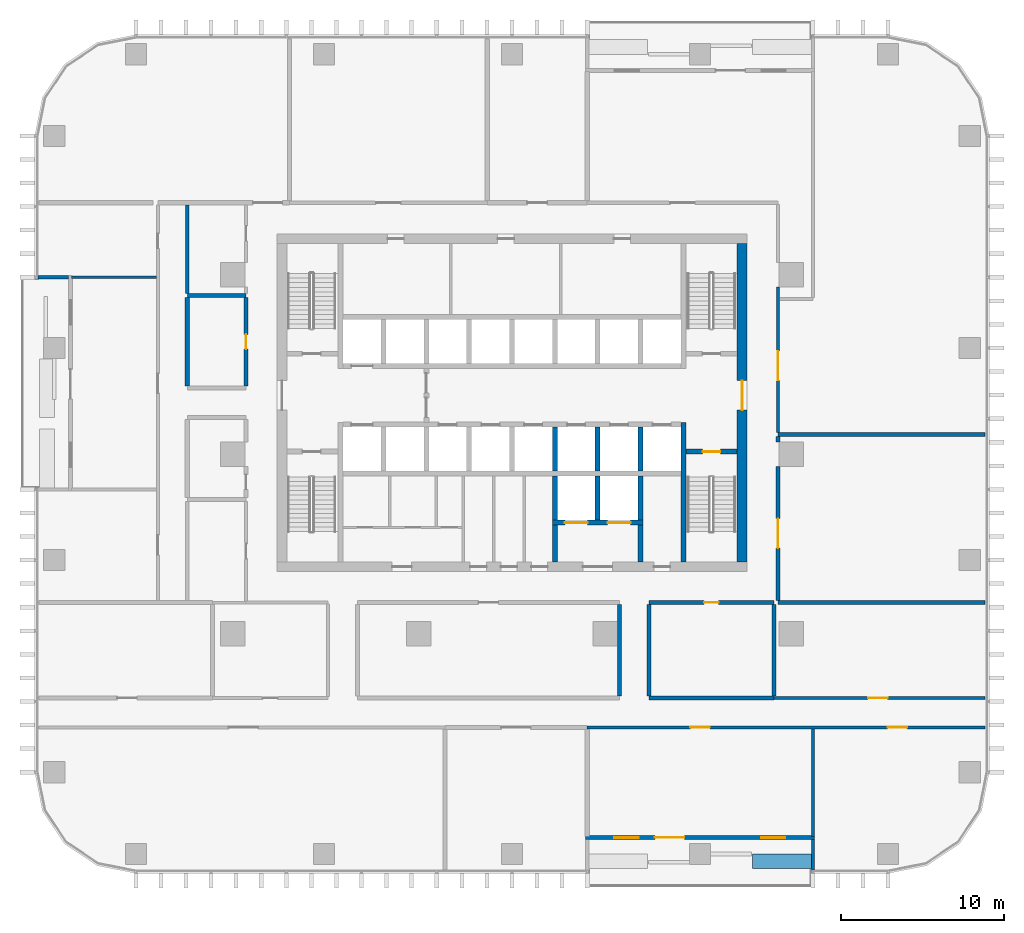
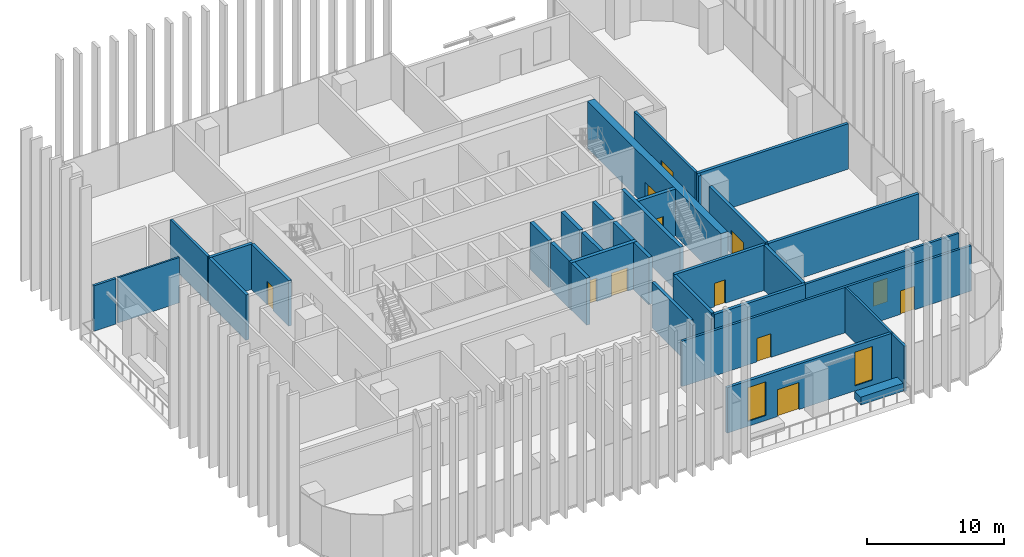
# One storey, part 9 of 17: 34 walls, 12 doors, 2 windows, 14 openings.
"""IFC4 building model written with IfcOpenShell, lengths in metres."""

from ifc_helpers import new_model, si_unit, direction, frame, frame_2d, origin, place, context, subcontext, project, spatial, rectangle, extrude, material, layer, layer_set, type_object, element, fill, save


model = new_model("IFC4")

# Units and contexts
model_context = context("Model", 3, precision=1e-05, world=origin(), true_north=direction((0.0, 1.0)))
body_context = subcontext(model_context, "Body", "Model", "MODEL_VIEW")
ifc_project = project(units=[si_unit("LENGTHUNIT", "METRE"), si_unit("AREAUNIT", "SQUARE_METRE"), si_unit("VOLUMEUNIT", "CUBIC_METRE"), si_unit("PLANEANGLEUNIT", "RADIAN"), si_unit("MASSUNIT", "GRAM", prefix="KILO")], contexts=[model_context])

# Site, building, storey
site_placement = place(None, origin())
site = spatial("IfcSite", under=ifc_project, at=site_placement, CompositionType="ELEMENT")
building_placement = place(site_placement, origin())
building = spatial("IfcBuilding", under=site, at=building_placement, Name="Mopane Tessera Tower", CompositionType="ELEMENT")
storey_placement = place(building_placement, frame((0.0, 0.0, 108.10009765625)))
storey = spatial("IfcBuildingStorey", under=building, at=storey_placement, Name="L21", CompositionType="ELEMENT", Elevation=108.10009765625)

# Wall, opening, door
ifc_material_1 = material(Name="Concrete C70/85", Category="concrete")
ifc_layer_1 = layer(ifc_material_1, 0.60009765625)
ifc_layer_set_1 = layer_set([ifc_layer_1], Name="Concrete C70/85")
wall_type_1 = type_object("IfcWallType", Name="Core shear wall 600 mm", PredefinedType="SHEAR", material=ifc_layer_set_1)
wall_1_placement = place(storey_placement, frame((14.10009765625, -6.60009765625, 0.0), z_axis=(0.0, 0.0, 1.0), x_axis=(0.0, 1.0, 0.0)))
wall_1 = element("IfcWall", 1, at=wall_1_placement, inside=storey, type_object=wall_type_1, Name="L21 Core wall east", PredefinedType="SHEAR", context=body_context, shape_type="SweptSolid", body=[
    extrude(rectangle(XDim=19.5, YDim=0.60009765625, at=frame_2d((9.75, 0.0))), origin(), (0.0, 0.0, 1.0), 4.199951171875),
])
opening_1_placement = place(wall_1_placement, frame((9.300048828125, 0.0, 0.0)))
opening_1 = element("IfcOpeningElement", 2, at=opening_1_placement, cuts=wall_1, Name="Opening SD2", PredefinedType="OPENING", context=body_context, shape_type="SweptSolid", body=[
    extrude(rectangle(XDim=1.800048828125, YDim=2.10009765625, at=frame_2d((0.89990234375, 1.050048828125))), frame((0.0, 0.31201171875, 0.0), z_axis=(0.0, -1.0, 0.0), x_axis=(1.0, 0.0, 0.0)), (0.0, 0.0, 1.0), 0.6240234375),
])
ifc_material_2 = material(Name="Steel fire door", Category="steel")
door_type_1 = type_object("IfcDoorType", Name="Core entrance double door 1800 x 2100", OperationType="DOUBLE_DOOR_SINGLE_SWING", PredefinedType="DOOR", material=ifc_material_2)
door_1_placement = place(opening_1_placement, origin())
door_1 = element("IfcDoor", 3, at=door_1_placement, inside=storey, type_object=door_type_1, Name="L21 Core entrance door east", OperationType="DOUBLE_DOOR_SINGLE_SWING", OverallHeight=2.10009765625, OverallWidth=1.800048828125, PredefinedType="DOOR", context=body_context, shape_type="SweptSolid", body=[
    extrude(rectangle(XDim=1.800048828125, YDim=2.10009765625, at=frame_2d((0.89990234375, 1.050048828125))), frame((0.0, 0.02490234375, 0.0), z_axis=(0.0, -1.0, 0.0), x_axis=(1.0, 0.0, 0.0)), (0.0, 0.0, 1.0), 0.050048828125),
])
fill(opening_1, door_1)

# Walls
ifc_material_3 = material(Name="Concrete C60/75", Category="concrete")
ifc_layer_2 = layer(ifc_material_3, 0.300048828125)
ifc_layer_set_2 = layer_set([ifc_layer_2], Name="Concrete C60/75")
wall_type_2 = type_object("IfcWallType", Name="Core spine wall 300 mm", PredefinedType="SHEAR", material=ifc_layer_set_2)
wall_2_placement = place(storey_placement, frame((10.5, -6.60009765625, 0.0), z_axis=(0.0, 0.0, 1.0), x_axis=(0.0, 1.0, 0.0)))
element("IfcWall", 4, at=wall_2_placement, inside=storey, type_object=wall_type_2, Name="L21 Core spine wall", PredefinedType="SHEAR", context=body_context, shape_type="SweptSolid", body=[
    extrude(rectangle(XDim=8.550048828125, YDim=0.300048828125, at=frame_2d((4.27490234375, 0.0))), origin(), (0.0, 0.0, 1.0), 4.199951171875),
])
ifc_material_4 = material(Name="Gypsum board on staggered steel studs, double layer each face, acoustic mineral wool infill", Category="steel")
ifc_layer_3 = layer(ifc_material_4, 0.175048828125)
ifc_layer_set_3 = layer_set([ifc_layer_3], Name="Gypsum board on staggered steel studs, double layer each face, acoustic mineral wool infill")
wall_type_3 = type_object("IfcWallType", Name="Gypsum board acoustic partition 175, rated EI 60", PredefinedType="PARTITIONING", material=ifc_layer_set_3)
wall_3_placement = place(storey_placement, frame((18.43994140625, -23.449951171875, 0.0), z_axis=(0.0, 0.0, 1.0), x_axis=(0.0, 1.0, 0.0)))
element("IfcWall", 5, at=wall_3_placement, inside=storey, type_object=wall_type_3, Name="Partition L21:053", PredefinedType="PARTITIONING", context=body_context, shape_type="SweptSolid", body=[
    extrude(rectangle(XDim=6.599853515625, YDim=0.175048828125, at=frame_2d((3.2998046875, 0.0))), origin(), (0.0, 0.0, 1.0), 4.0498046875),
])

# Wall, openings, doors
ifc_material_5 = material(Name="Gypsum board on steel studs, two layers each face, mineral wool infill", Category="steel")
ifc_layer_4 = layer(ifc_material_5, 0.199951171875)
ifc_layer_set_4 = layer_set([ifc_layer_4], Name="Gypsum board on steel studs, two layers each face, mineral wool infill")
wall_type_4 = type_object("IfcWallType", Name="Gypsum board corridor wall 200, rated EI 60", PredefinedType="PARTITIONING", material=ifc_layer_set_4)
wall_4_placement = place(storey_placement, frame((4.610107421875, -16.75, 0.0), z_axis=(0.0, 0.0, 1.0), x_axis=(1.0, 0.0, 0.0)))
wall_4 = element("IfcWall", 6, at=wall_4_placement, inside=storey, type_object=wall_type_4, Name="Partition L21:001", PredefinedType="PARTITIONING", context=body_context, shape_type="SweptSolid", body=[
    extrude(rectangle(XDim=24.389892578125, YDim=0.199951171875, at=frame_2d((12.19482421875, 0.0))), origin(), (0.0, 0.0, 1.0), 4.0498046875),
])
opening_2_placement = place(wall_4_placement, frame((18.409912109375, 0.0, 0.0)))
opening_2 = element("IfcOpeningElement", 7, at=opening_2_placement, cuts=wall_4, Name="Opening L21-05", PredefinedType="OPENING", context=body_context, shape_type="SweptSolid", body=[
    extrude(rectangle(XDim=1.199951171875, YDim=2.10009765625, at=frame_2d((0.60009765625, 1.050048828125))), frame((0.0, 0.112060546875, 0.0), z_axis=(0.0, -1.0, 0.0), x_axis=(1.0, 0.0, 0.0)), (0.0, 0.0, 1.0), 0.223876953125),
])
opening_3_placement = place(wall_4_placement, frame((6.31494140625, 0.0, 0.0)))
opening_3 = element("IfcOpeningElement", 8, at=opening_3_placement, cuts=wall_4, Name="Opening L21-17", PredefinedType="OPENING", context=body_context, shape_type="SweptSolid", body=[
    extrude(rectangle(XDim=1.199951171875, YDim=2.10009765625, at=frame_2d((0.60009765625, 1.050048828125))), frame((0.0, 0.112060546875, 0.0), z_axis=(0.0, -1.0, 0.0), x_axis=(1.0, 0.0, 0.0)), (0.0, 0.0, 1.0), 0.223876953125),
])
ifc_material_6 = material(Name="Timber veneered steel-framed fire door", Category="steel")
door_type_2 = type_object("IfcDoorType", Name="Fire door FD60 1200 x 2100", OperationType="SINGLE_SWING_LEFT", PredefinedType="DOOR", material=ifc_material_6)
door_2_placement = place(opening_2_placement, origin())
door_2 = element("IfcDoor", 9, at=door_2_placement, inside=storey, type_object=door_type_2, Name="Door L21-05", ObjectType="D15A", OperationType="SINGLE_SWING_LEFT", OverallHeight=2.10009765625, OverallWidth=1.199951171875, PredefinedType="DOOR", context=body_context, shape_type="SweptSolid", body=[
    extrude(rectangle(XDim=1.199951171875, YDim=2.10009765625, at=frame_2d((0.60009765625, 1.050048828125))), frame((0.0, 0.02490234375, 0.0), z_axis=(0.0, -1.0, 0.0), x_axis=(1.0, 0.0, 0.0)), (0.0, 0.0, 1.0), 0.050048828125),
])
fill(opening_2, door_2)
door_3_placement = place(opening_3_placement, origin())
door_3 = element("IfcDoor", 10, at=door_3_placement, inside=storey, type_object=door_type_2, Name="Door L21-17", ObjectType="D15A", OperationType="SINGLE_SWING_LEFT", OverallHeight=2.10009765625, OverallWidth=1.199951171875, PredefinedType="DOOR", context=body_context, shape_type="SweptSolid", body=[
    extrude(rectangle(XDim=1.199951171875, YDim=2.10009765625, at=frame_2d((0.60009765625, 1.050048828125))), frame((0.0, 0.02490234375, 0.0), z_axis=(0.0, -1.0, 0.0), x_axis=(1.0, 0.0, 0.0)), (0.0, 0.0, 1.0), 0.050048828125),
])
fill(opening_3, door_3)

# Wall, opening, door
wall_5_placement = place(storey_placement, frame((16.044921875, -14.949951171875, 0.0), z_axis=(0.0, 0.0, 1.0), x_axis=(1.0, 0.0, 0.0)))
wall_5 = element("IfcWall", 11, at=wall_5_placement, inside=storey, type_object=wall_type_4, Name="Partition L21:004", PredefinedType="PARTITIONING", context=body_context, shape_type="SweptSolid", body=[
    extrude(rectangle(XDim=12.955078125, YDim=0.199951171875, at=frame_2d((6.4775390625, 0.0))), origin(), (0.0, 0.0, 1.0), 4.0498046875),
])
opening_4_placement = place(wall_5_placement, frame((5.777587890625, 0.0, 0.0)))
opening_4 = element("IfcOpeningElement", 12, at=opening_4_placement, cuts=wall_5, Name="Opening L21-21", PredefinedType="OPENING", context=body_context, shape_type="SweptSolid", body=[
    extrude(rectangle(XDim=1.199951171875, YDim=2.10009765625, at=frame_2d((0.60009765625, 1.050048828125))), frame((0.0, 0.112060546875, 0.0), z_axis=(0.0, -1.0, 0.0), x_axis=(1.0, 0.0, 0.0)), (0.0, 0.0, 1.0), 0.223876953125),
])
door_4_placement = place(opening_4_placement, origin())
door_4 = element("IfcDoor", 13, at=door_4_placement, inside=storey, type_object=door_type_2, Name="Door L21-21", ObjectType="D15A", OperationType="SINGLE_SWING_RIGHT", OverallHeight=2.10009765625, OverallWidth=1.199951171875, PredefinedType="DOOR", context=body_context, shape_type="SweptSolid", body=[
    extrude(rectangle(XDim=1.199951171875, YDim=2.10009765625, at=frame_2d((0.60009765625, 1.050048828125))), frame((0.0, 0.02490234375, 0.0), z_axis=(0.0, -1.0, 0.0), x_axis=(1.0, 0.0, 0.0)), (0.0, 0.0, 1.0), 0.050048828125),
])
fill(opening_4, door_4)

# Wall
wall_6_placement = place(storey_placement, frame((-19.89990234375, 9.85009765625, 0.0), z_axis=(0.0, 0.0, 1.0), x_axis=(0.0, 1.0, 0.0)))
element("IfcWall", 14, at=wall_6_placement, inside=storey, type_object=wall_type_4, Name="Partition L21:029", PredefinedType="PARTITIONING", context=body_context, shape_type="SweptSolid", body=[
    extrude(rectangle(XDim=5.4248046875, YDim=0.199951171875, at=frame_2d((2.71240234375, 0.0))), origin(), (0.0, 0.0, 1.0), 4.0498046875),
])

# Wall, opening, door
wall_7_placement = place(storey_placement, frame((16.300048828125, 1.324951171875, 0.0), z_axis=(0.0, 0.0, 1.0), x_axis=(0.0, 1.0, 0.0)))
wall_7 = element("IfcWall", 15, at=wall_7_placement, inside=storey, type_object=wall_type_4, Name="Partition L21:049", PredefinedType="PARTITIONING", context=body_context, shape_type="SweptSolid", body=[
    extrude(rectangle(XDim=8.925048828125, YDim=0.199951171875, at=frame_2d((4.46240234375, 0.0))), origin(), (0.0, 0.0, 1.0), 4.0498046875),
])
opening_5_placement = place(wall_7_placement, frame((3.1875, 0.0, 0.0)))
opening_5 = element("IfcOpeningElement", 16, at=opening_5_placement, cuts=wall_7, Name="Opening L21-04", PredefinedType="OPENING", context=body_context, shape_type="SweptSolid", body=[
    extrude(rectangle(XDim=1.800048828125, YDim=2.10009765625, at=frame_2d((0.89990234375, 1.050048828125))), frame((0.0, 0.112060546875, 0.0), z_axis=(0.0, -1.0, 0.0), x_axis=(1.0, 0.0, 0.0)), (0.0, 0.0, 1.0), 0.223876953125),
])
ifc_material_7 = material(Name="Timber veneered steel-framed fire door", Category="steel")
door_type_3 = type_object("IfcDoorType", Name="Fire door pair FD60 1800 x 2100", OperationType="DOUBLE_DOOR_SINGLE_SWING", PredefinedType="DOOR", material=ifc_material_7)
door_5_placement = place(opening_5_placement, origin())
door_5 = element("IfcDoor", 17, at=door_5_placement, inside=storey, type_object=door_type_3, Name="Door L21-04", ObjectType="D20A", OperationType="DOUBLE_DOOR_SINGLE_SWING", OverallHeight=2.10009765625, OverallWidth=1.800048828125, PredefinedType="DOOR", context=body_context, shape_type="SweptSolid", body=[
    extrude(rectangle(XDim=1.800048828125, YDim=2.10009765625, at=frame_2d((0.89990234375, 1.050048828125))), frame((0.0, 0.02490234375, 0.0), z_axis=(0.0, -1.0, 0.0), x_axis=(1.0, 0.0, 0.0)), (0.0, 0.0, 1.0), 0.050048828125),
])
fill(opening_5, door_5)

# Wall
ifc_material_8 = material(Name="Gypsum board on steel studs, mineral wool infill", Category="steel")
ifc_layer_5 = layer(ifc_material_8, 0.14990234375)
ifc_layer_set_5 = layer_set([ifc_layer_5], Name="Gypsum board on steel studs, mineral wool infill")
wall_type_5 = type_object("IfcWallType", Name="Gypsum board partition 150, rated EI 60", PredefinedType="PARTITIONING", material=ifc_layer_set_5)
wall_8_placement = place(storey_placement, frame((-27.0, 10.8349609375, 0.0), z_axis=(0.0, 0.0, 1.0), x_axis=(1.0, 0.0, 0.0)))
element("IfcWall", 18, at=wall_8_placement, inside=storey, type_object=wall_type_5, Name="Partition L21:021", PredefinedType="PARTITIONING", context=body_context, shape_type="SweptSolid", body=[
    extrude(rectangle(XDim=5.199951171875, YDim=0.14990234375, at=frame_2d((2.60009765625, 0.0))), origin(), (0.0, 0.0, 1.0), 4.0498046875),
])

# Wall, opening, door
ifc_material_9 = material(Name="Concrete C50/60", Category="concrete")
ifc_layer_6 = layer(ifc_material_9, 0.300048828125)
ifc_layer_set_6 = layer_set([ifc_layer_6], Name="Concrete C50/60")
wall_type_6 = type_object("IfcWallType", Name="Lift and stair shaft wall 300 mm", PredefinedType="SOLIDWALL", material=ifc_layer_set_6)
wall_9_placement = place(storey_placement, frame((10.64990234375, 0.14990234375, 0.0), z_axis=(0.0, 0.0, 1.0), x_axis=(1.0, 0.0, 0.0)))
wall_9 = element("IfcWall", 19, at=wall_9_placement, inside=storey, type_object=wall_type_6, Name="L21 Stair enclosure wall", PredefinedType="SOLIDWALL", context=body_context, shape_type="SweptSolid", body=[
    extrude(rectangle(XDim=3.150146484375, YDim=0.300048828125, at=frame_2d((1.5751953125, 0.0))), origin(), (0.0, 0.0, 1.0), 4.199951171875),
])
opening_6_placement = place(wall_9_placement, frame((1.02490234375, 0.0, 0.0)))
opening_6 = element("IfcOpeningElement", 20, at=opening_6_placement, cuts=wall_9, Name="Opening SD1", PredefinedType="OPENING", context=body_context, shape_type="SweptSolid", body=[
    extrude(rectangle(XDim=1.10009765625, YDim=2.10009765625, at=frame_2d((0.550048828125, 1.050048828125))), frame((0.0, 0.162109375, 0.0), z_axis=(0.0, -1.0, 0.0), x_axis=(1.0, 0.0, 0.0)), (0.0, 0.0, 1.0), 0.323974609375),
])
ifc_material_10 = material(Name="Steel fire door", Category="steel")
door_type_4 = type_object("IfcDoorType", Name="Stair fire door 1100 x 2100", OperationType="SINGLE_SWING_LEFT", PredefinedType="DOOR", material=ifc_material_10)
door_6_placement = place(opening_6_placement, origin())
door_6 = element("IfcDoor", 21, at=door_6_placement, inside=storey, type_object=door_type_4, Name="L21 Stair door ST3", OperationType="SINGLE_SWING_RIGHT", OverallHeight=2.10009765625, OverallWidth=1.10009765625, PredefinedType="DOOR", context=body_context, shape_type="SweptSolid", body=[
    extrude(rectangle(XDim=1.10009765625, YDim=2.10009765625, at=frame_2d((0.550048828125, 1.050048828125))), frame((0.0, 0.02490234375, 0.0), z_axis=(0.0, -1.0, 0.0), x_axis=(1.0, 0.0, 0.0)), (0.0, 0.0, 1.0), 0.050048828125),
])
fill(opening_6, door_6)

# Walls
for number, where, z_axis, x_axis, name in (
    (22, (2.625, -1.050048828125, 0.0), (0.0, 0.0, 1.0), (0.0, 1.0, 0.0), "L21 Lift shaft wall"),
    (23, (5.25, -1.050048828125, 0.0), (0.0, 0.0, 1.0), (0.0, 1.0, 0.0), "L21 Lift shaft wall"),
    (24, (7.875, -1.050048828125, 0.0), (0.0, 0.0, 1.0), (0.0, 1.0, 0.0), "L21 Lift shaft wall"),
):
    element("IfcWall", number, at=place(storey_placement, frame(where, z_axis=z_axis, x_axis=x_axis)), inside=storey, type_object=wall_type_6, Name=name, PredefinedType="SOLIDWALL", context=body_context, shape_type="SweptSolid", body=[
        extrude(rectangle(XDim=2.699951171875, YDim=0.300048828125, at=frame_2d((1.35009765625, 0.0))), origin(), (0.0, 0.0, 1.0), 4.199951171875),
    ])

# Wall, openings, doors
wall_10_placement = place(storey_placement, frame((2.47509765625, -4.199951171875, 0.0), z_axis=(0.0, 0.0, 1.0), x_axis=(1.0, 0.0, 0.0)))
wall_10 = element("IfcWall", 25, at=wall_10_placement, inside=storey, type_object=wall_type_6, Name="L21 Lift shaft front wall", PredefinedType="SOLIDWALL", context=body_context, shape_type="SweptSolid", body=[
    extrude(rectangle(XDim=5.5498046875, YDim=0.300048828125, at=frame_2d((2.77490234375, 0.0))), origin(), (0.0, 0.0, 1.0), 4.199951171875),
])
opening_7_placement = place(wall_10_placement, frame((0.762451171875, 0.0, 0.0)))
opening_7 = element("IfcOpeningElement", 26, at=opening_7_placement, cuts=wall_10, Name="Opening LD3", PredefinedType="OPENING", context=body_context, shape_type="SweptSolid", body=[
    extrude(rectangle(XDim=1.39990234375, YDim=2.10009765625, at=frame_2d((0.699951171875, 1.050048828125))), frame((0.0, 0.162109375, 0.0), z_axis=(0.0, -1.0, 0.0), x_axis=(1.0, 0.0, 0.0)), (0.0, 0.0, 1.0), 0.323974609375),
])
opening_8_placement = place(wall_10_placement, frame((3.387451171875, 0.0, 0.0)))
opening_8 = element("IfcOpeningElement", 27, at=opening_8_placement, cuts=wall_10, Name="Opening LD3", PredefinedType="OPENING", context=body_context, shape_type="SweptSolid", body=[
    extrude(rectangle(XDim=1.39990234375, YDim=2.10009765625, at=frame_2d((0.699951171875, 1.050048828125))), frame((0.0, 0.162109375, 0.0), z_axis=(0.0, -1.0, 0.0), x_axis=(1.0, 0.0, 0.0)), (0.0, 0.0, 1.0), 0.323974609375),
])
ifc_material_11 = material(Name="Stainless steel sliding door", Category="steel")
door_type_5 = type_object("IfcDoorType", Name="Service lift landing door 1400 x 2100", OperationType="DOUBLE_DOOR_SLIDING", PredefinedType="DOOR", material=ifc_material_11)
door_7_placement = place(opening_7_placement, origin())
door_7 = element("IfcDoor", 28, at=door_7_placement, inside=storey, type_object=door_type_5, Name="L21 Lift landing door SV1", OperationType="DOUBLE_DOOR_SLIDING", OverallHeight=2.10009765625, OverallWidth=1.39990234375, PredefinedType="DOOR", context=body_context, shape_type="SweptSolid", body=[
    extrude(rectangle(XDim=1.39990234375, YDim=2.10009765625, at=frame_2d((0.699951171875, 1.050048828125))), frame((0.0, 0.02490234375, 0.0), z_axis=(0.0, -1.0, 0.0), x_axis=(1.0, 0.0, 0.0)), (0.0, 0.0, 1.0), 0.050048828125),
])
fill(opening_7, door_7)
door_8_placement = place(opening_8_placement, origin())
door_8 = element("IfcDoor", 29, at=door_8_placement, inside=storey, type_object=door_type_5, Name="L21 Lift landing door SV2", OperationType="DOUBLE_DOOR_SLIDING", OverallHeight=2.10009765625, OverallWidth=1.39990234375, PredefinedType="DOOR", context=body_context, shape_type="SweptSolid", body=[
    extrude(rectangle(XDim=1.39990234375, YDim=2.10009765625, at=frame_2d((0.699951171875, 1.050048828125))), frame((0.0, 0.02490234375, 0.0), z_axis=(0.0, -1.0, 0.0), x_axis=(1.0, 0.0, 0.0)), (0.0, 0.0, 1.0), 0.050048828125),
])
fill(opening_8, door_8)

# Walls
for number, where, z_axis, x_axis, name in (
    (30, (2.625, -4.050048828125, 0.0), (0.0, 0.0, 1.0), (0.0, 1.0, 0.0), "L21 Lift shaft wall"),
    (31, (5.25, -4.050048828125, 0.0), (0.0, 0.0, 1.0), (0.0, 1.0, 0.0), "L21 Lift shaft wall"),
    (32, (7.875, -4.050048828125, 0.0), (0.0, 0.0, 1.0), (0.0, 1.0, 0.0), "L21 Lift shaft wall"),
):
    element("IfcWall", number, at=place(storey_placement, frame(where, z_axis=z_axis, x_axis=x_axis)), inside=storey, type_object=wall_type_6, Name=name, PredefinedType="SOLIDWALL", context=body_context, shape_type="SweptSolid", body=[
        extrude(rectangle(XDim=2.699951171875, YDim=0.300048828125, at=frame_2d((1.35009765625, 0.0))), origin(), (0.0, 0.0, 1.0), 4.199951171875),
    ])
ifc_material_12 = material(Name="Concrete C50/60", Category="concrete")
ifc_layer_7 = layer(ifc_material_12, 0.300048828125)
ifc_layer_set_7 = layer_set([ifc_layer_7], Name="Concrete C50/60")
wall_type_7 = type_object("IfcWallType", Name="Lobby and refuge room wall 300 mm", PredefinedType="SOLIDWALL", material=ifc_layer_set_7)
for number, where, z_axis, x_axis, name in (
    (33, (2.625, -6.60009765625, 0.0), (0.0, 0.0, 1.0), (0.0, 1.0, 0.0), "L21 Service lobby wall"),
    (34, (7.875, -6.60009765625, 0.0), (0.0, 0.0, 1.0), (0.0, 1.0, 0.0), "L21 Service lobby wall"),
):
    element("IfcWall", number, at=place(storey_placement, frame(where, z_axis=z_axis, x_axis=x_axis)), inside=storey, type_object=wall_type_7, Name=name, PredefinedType="SOLIDWALL", context=body_context, shape_type="SweptSolid", body=[
        extrude(rectangle(XDim=2.25, YDim=0.300048828125, at=frame_2d((1.125, 0.0))), origin(), (0.0, 0.0, 1.0), 4.199951171875),
    ])
ifc_material_13 = material(Name="Reinforced concrete C32/40 with waterproofing", Category="concrete")
ifc_layer_8 = layer(ifc_material_13, 0.89990234375)
ifc_layer_set_8 = layer_set([ifc_layer_8], Name="Reinforced concrete C32/40 with waterproofing")
wall_type_8 = type_object("IfcWallType", Name="Planter trough 3600 x 900", PredefinedType="STANDARD", material=ifc_layer_set_8)
wall_11_placement = place(storey_placement, frame((14.739990234375, -24.949951171875, 0.0), z_axis=(0.0, 0.0, 1.0), x_axis=(1.0, 0.0, 0.0)))
element("IfcWall", 35, at=wall_11_placement, inside=storey, type_object=wall_type_8, Name="e:nw:L21:N3:pl1", PredefinedType="STANDARD", context=body_context, shape_type="SweptSolid", body=[
    extrude(rectangle(XDim=3.60009765625, YDim=0.89990234375, at=frame_2d((1.800048828125, 0.0))), origin(), (0.0, 0.0, 1.0), 0.699951171875),
])
ifc_material_14 = material(Name="Plastered concrete blockwork C20/25", Category="masonry")
ifc_layer_9 = layer(ifc_material_14, 0.25)
ifc_layer_set_9 = layer_set([ifc_layer_9], Name="Plastered concrete blockwork C20/25")
wall_type_9 = type_object("IfcWallType", Name="Plastered blockwork wall 250, rated EI 120", PredefinedType="PARTITIONING", material=ifc_layer_set_9)
wall_12_placement = place(storey_placement, frame((8.389892578125, -14.949951171875, 0.0), z_axis=(0.0, 0.0, 1.0), x_axis=(1.0, 0.0, 0.0)))
element("IfcWall", 36, at=wall_12_placement, inside=storey, type_object=wall_type_9, Name="Partition L21:007", PredefinedType="PARTITIONING", context=body_context, shape_type="SweptSolid", body=[
    extrude(rectangle(XDim=7.655029296875, YDim=0.25, at=frame_2d((3.82763671875, 0.0))), origin(), (0.0, 0.0, 1.0), 4.0498046875),
])

# Wall, opening, door
wall_13_placement = place(storey_placement, frame((8.389892578125, -9.10009765625, 0.0), z_axis=(0.0, 0.0, 1.0), x_axis=(1.0, 0.0, 0.0)))
wall_13 = element("IfcWall", 37, at=wall_13_placement, inside=storey, type_object=wall_type_9, Name="Partition L21:012", PredefinedType="PARTITIONING", context=body_context, shape_type="SweptSolid", body=[
    extrude(rectangle(XDim=7.655029296875, YDim=0.25, at=frame_2d((3.82763671875, 0.0))), origin(), (0.0, 0.0, 1.0), 4.0498046875),
])
opening_9_placement = place(wall_13_placement, frame((3.37744140625, 0.0, 0.0)))
opening_9 = element("IfcOpeningElement", 38, at=opening_9_placement, cuts=wall_13, Name="Opening L21-10", PredefinedType="OPENING", context=body_context, shape_type="SweptSolid", body=[
    extrude(rectangle(XDim=0.89990234375, YDim=2.10009765625, at=frame_2d((0.449951171875, 1.050048828125))), frame((0.0, 0.136962890625, 0.0), z_axis=(0.0, -1.0, 0.0), x_axis=(1.0, 0.0, 0.0)), (0.0, 0.0, 1.0), 0.27392578125),
])
ifc_material_15 = material(Name="Timber veneered steel-framed fire door", Category="steel")
door_type_6 = type_object("IfcDoorType", Name="Fire door FD120 900 x 2100", OperationType="SINGLE_SWING_LEFT", PredefinedType="DOOR", material=ifc_material_15)
door_9_placement = place(opening_9_placement, origin())
door_9 = element("IfcDoor", 39, at=door_9_placement, inside=storey, type_object=door_type_6, Name="Door L21-10", ObjectType="D10B", OperationType="SINGLE_SWING_LEFT", OverallHeight=2.10009765625, OverallWidth=0.89990234375, PredefinedType="DOOR", context=body_context, shape_type="SweptSolid", body=[
    extrude(rectangle(XDim=0.89990234375, YDim=2.10009765625, at=frame_2d((0.449951171875, 1.050048828125))), frame((0.0, 0.02490234375, 0.0), z_axis=(0.0, -1.0, 0.0), x_axis=(1.0, 0.0, 0.0)), (0.0, 0.0, 1.0), 0.050048828125),
])
fill(opening_9, door_9)

# Walls
for number, where, z_axis, x_axis, name in (
    (40, (16.300048828125, -9.10009765625, 0.0), (0.0, 0.0, 1.0), (1.0, 0.0, 0.0), "Partition L21:013"),
    (41, (16.300048828125, 1.199951171875, 0.0), (0.0, 0.0, 1.0), (1.0, 0.0, 0.0), "Partition L21:016"),
):
    element("IfcWall", number, at=place(storey_placement, frame(where, z_axis=z_axis, x_axis=x_axis)), inside=storey, type_object=wall_type_9, Name=name, PredefinedType="PARTITIONING", context=body_context, shape_type="SweptSolid", body=[
        extrude(rectangle(XDim=12.699951171875, YDim=0.25, at=frame_2d((6.35009765625, 0.0))), origin(), (0.0, 0.0, 1.0), 4.0498046875),
    ])
wall_14_placement = place(storey_placement, frame((-19.89990234375, 9.72509765625, 0.0), z_axis=(0.0, 0.0, 1.0), x_axis=(1.0, 0.0, 0.0)))
element("IfcWall", 42, at=wall_14_placement, inside=storey, type_object=wall_type_9, Name="Partition L21:020", PredefinedType="PARTITIONING", context=body_context, shape_type="SweptSolid", body=[
    extrude(rectangle(XDim=3.599853515625, YDim=0.25, at=frame_2d((1.7998046875, 0.0))), origin(), (0.0, 0.0, 1.0), 4.0498046875),
])
wall_15_placement = place(storey_placement, frame((-19.89990234375, 4.175048828125, 0.0), z_axis=(0.0, 0.0, 1.0), x_axis=(0.0, 1.0, 0.0)))
element("IfcWall", 43, at=wall_15_placement, inside=storey, type_object=wall_type_9, Name="Partition L21:031", PredefinedType="PARTITIONING", context=body_context, shape_type="SweptSolid", body=[
    extrude(rectangle(XDim=5.425048828125, YDim=0.25, at=frame_2d((2.71240234375, 0.0))), origin(), (0.0, 0.0, 1.0), 4.0498046875),
])

# Wall, opening, door
wall_16_placement = place(storey_placement, frame((-16.300048828125, 4.175048828125, 0.0), z_axis=(0.0, 0.0, 1.0), x_axis=(0.0, 1.0, 0.0)))
wall_16 = element("IfcWall", 44, at=wall_16_placement, inside=storey, type_object=wall_type_9, Name="Partition L21:038", PredefinedType="PARTITIONING", context=body_context, shape_type="SweptSolid", body=[
    extrude(rectangle(XDim=5.425048828125, YDim=0.25, at=frame_2d((2.71240234375, 0.0))), origin(), (0.0, 0.0, 1.0), 4.0498046875),
])
opening_10_placement = place(wall_16_placement, frame((2.262451171875, 0.0, 0.0)))
opening_10 = element("IfcOpeningElement", 45, at=opening_10_placement, cuts=wall_16, Name="Opening L21-09", PredefinedType="OPENING", context=body_context, shape_type="SweptSolid", body=[
    extrude(rectangle(XDim=0.89990234375, YDim=2.10009765625, at=frame_2d((0.449951171875, 1.050048828125))), frame((0.0, 0.136962890625, 0.0), z_axis=(0.0, -1.0, 0.0), x_axis=(1.0, 0.0, 0.0)), (0.0, 0.0, 1.0), 0.27392578125),
])
door_10_placement = place(opening_10_placement, origin())
door_10 = element("IfcDoor", 46, at=door_10_placement, inside=storey, type_object=door_type_6, Name="Door L21-09", ObjectType="D10B", OperationType="SINGLE_SWING_LEFT", OverallHeight=2.10009765625, OverallWidth=0.89990234375, PredefinedType="DOOR", context=body_context, shape_type="SweptSolid", body=[
    extrude(rectangle(XDim=0.89990234375, YDim=2.10009765625, at=frame_2d((0.449951171875, 1.050048828125))), frame((0.0, 0.02490234375, 0.0), z_axis=(0.0, -1.0, 0.0), x_axis=(1.0, 0.0, 0.0)), (0.0, 0.0, 1.0), 0.050048828125),
])
fill(opening_10, door_10)

# Walls
for number, where, z_axis, x_axis, name in (
    (47, (6.590087890625, -14.824951171875, 0.0), (0.0, 0.0, 1.0), (0.0, 1.0, 0.0), "Partition L21:046"),
    (48, (8.389892578125, -14.824951171875, 0.0), (0.0, 0.0, 1.0), (0.0, 1.0, 0.0), "Partition L21:047"),
    (49, (16.044921875, -14.824951171875, 0.0), (0.0, 0.0, 1.0), (0.0, 1.0, 0.0), "Partition L21:048"),
):
    element("IfcWall", number, at=place(storey_placement, frame(where, z_axis=z_axis, x_axis=x_axis)), inside=storey, type_object=wall_type_9, Name=name, PredefinedType="PARTITIONING", context=body_context, shape_type="SweptSolid", body=[
        extrude(rectangle(XDim=5.599853515625, YDim=0.25, at=frame_2d((2.7998046875, 0.0))), origin(), (0.0, 0.0, 1.0), 4.0498046875),
    ])

# Wall, opening, door
wall_17_placement = place(storey_placement, frame((16.300048828125, -8.97509765625, 0.0), z_axis=(0.0, 0.0, 1.0), x_axis=(0.0, 1.0, 0.0)))
wall_17 = element("IfcWall", 50, at=wall_17_placement, inside=storey, type_object=wall_type_9, Name="Partition L21:051", PredefinedType="PARTITIONING", context=body_context, shape_type="SweptSolid", body=[
    extrude(rectangle(XDim=8.22509765625, YDim=0.25, at=frame_2d((4.112548828125, 0.0))), origin(), (0.0, 0.0, 1.0), 4.0498046875),
])
opening_11_placement = place(wall_17_placement, frame((3.21240234375, 0.0, 0.0)))
opening_11 = element("IfcOpeningElement", 51, at=opening_11_placement, cuts=wall_17, Name="Opening L21-06", PredefinedType="OPENING", context=body_context, shape_type="SweptSolid", body=[
    extrude(rectangle(XDim=1.800048828125, YDim=2.10009765625, at=frame_2d((0.89990234375, 1.050048828125))), frame((0.0, 0.136962890625, 0.0), z_axis=(0.0, -1.0, 0.0), x_axis=(1.0, 0.0, 0.0)), (0.0, 0.0, 1.0), 0.27392578125),
])
ifc_material_16 = material(Name="Timber veneered steel-framed fire door", Category="steel")
door_type_7 = type_object("IfcDoorType", Name="Fire door pair FD120 1800 x 2100", OperationType="DOUBLE_DOOR_SINGLE_SWING", PredefinedType="DOOR", material=ifc_material_16)
door_11_placement = place(opening_11_placement, origin())
door_11 = element("IfcDoor", 52, at=door_11_placement, inside=storey, type_object=door_type_7, Name="Door L21-06", ObjectType="D20B", OperationType="DOUBLE_DOOR_SINGLE_SWING", OverallHeight=2.10009765625, OverallWidth=1.800048828125, PredefinedType="DOOR", context=body_context, shape_type="SweptSolid", body=[
    extrude(rectangle(XDim=1.800048828125, YDim=2.10009765625, at=frame_2d((0.89990234375, 1.050048828125))), frame((0.0, 0.02490234375, 0.0), z_axis=(0.0, -1.0, 0.0), x_axis=(1.0, 0.0, 0.0)), (0.0, 0.0, 1.0), 0.050048828125),
])
fill(opening_11, door_11)

# Walls
wall_18_placement = place(storey_placement, frame((16.300048828125, 0.75, 0.0), z_axis=(0.0, 0.0, 1.0), x_axis=(0.0, 1.0, 0.0)))
element("IfcWall", 53, at=wall_18_placement, inside=storey, type_object=wall_type_9, Name="Partition L21:052", PredefinedType="PARTITIONING", context=body_context, shape_type="SweptSolid", body=[
    extrude(rectangle(XDim=0.324951171875, YDim=0.25, at=frame_2d((0.16259765625, 0.0))), origin(), (0.0, 0.0, 1.0), 4.0498046875),
])
ifc_material_17 = material(Name="Blockwork with glazed tile facing", Category="masonry")
ifc_layer_10 = layer(ifc_material_17, 0.199951171875)
ifc_layer_set_10 = layer_set([ifc_layer_10], Name="Blockwork with glazed tile facing")
wall_type_10 = type_object("IfcWallType", Name="Terrace cheek wall 200", PredefinedType="STANDARD", material=ifc_layer_set_10)
for number, where, z_axis, x_axis, name in (
    (54, (-29.050048828125, 10.833251953125, 0.0), (0.0, 0.0, 1.0), (1.0, 0.0, 0.0), "e:nw:L21:N2:cheeka"),
    (55, (18.43994140625, -25.5, 0.0), (0.0, 0.0, 1.0), (0.0, 1.0, 0.0), "e:nw:L21:N3:cheekb"),
):
    element("IfcWall", number, at=place(storey_placement, frame(where, z_axis=z_axis, x_axis=x_axis)), inside=storey, type_object=wall_type_10, Name=name, PredefinedType="STANDARD", context=body_context, shape_type="SweptSolid", body=[
        extrude(rectangle(XDim=1.875, YDim=0.199951171875, at=frame_2d((0.9375, 0.0))), origin(), (0.0, 0.0, 1.0), 4.0498046875),
    ])

# Wall, openings, windows, door
ifc_material_18 = material(Name="Blockwork with turquoise glazed tile facing", Category="masonry")
ifc_layer_11 = layer(ifc_material_18, 0.25)
ifc_layer_set_11 = layer_set([ifc_layer_11], Name="Blockwork with turquoise glazed tile facing")
wall_type_11 = type_object("IfcWallType", Name="Tile-clad external wall 250, turquoise", PredefinedType="STANDARD", material=ifc_layer_set_11)
wall_19_placement = place(storey_placement, frame((4.510009765625, -23.5, 0.0), z_axis=(0.0, 0.0, 1.0), x_axis=(1.0, 0.0, 0.0)))
wall_19 = element("IfcWall", 56, at=wall_19_placement, inside=storey, type_object=wall_type_11, Name="e:nw:L21:N3:back", PredefinedType="STANDARD", context=body_context, shape_type="SweptSolid", body=[
    extrude(rectangle(XDim=14.030029296875, YDim=0.25, at=frame_2d((7.01513671875, 0.0))), origin(), (0.0, 0.0, 1.0), 4.0498046875),
])
opening_12_placement = place(wall_19_placement, frame((1.75, 0.0, 0.449951171875)))
opening_12 = element("IfcOpeningElement", 57, at=opening_12_placement, cuts=wall_19, Name="Opening NW213A", PredefinedType="OPENING", context=body_context, shape_type="SweptSolid", body=[
    extrude(rectangle(XDim=1.5, YDim=3.0, at=frame_2d((0.75, 1.5))), frame((0.0, 0.136962890625, 0.0), z_axis=(0.0, -1.0, 0.0), x_axis=(1.0, 0.0, 0.0)), (0.0, 0.0, 1.0), 0.27392578125),
])
opening_13_placement = place(wall_19_placement, frame((4.25, 0.0, 0.0)))
opening_13 = element("IfcOpeningElement", 58, at=opening_13_placement, cuts=wall_19, Name="Opening ND213", PredefinedType="OPENING", context=body_context, shape_type="SweptSolid", body=[
    extrude(rectangle(XDim=1.800048828125, YDim=2.39990234375, at=frame_2d((0.89990234375, 1.199951171875))), frame((0.0, 0.136962890625, 0.0), z_axis=(0.0, -1.0, 0.0), x_axis=(1.0, 0.0, 0.0)), (0.0, 0.0, 1.0), 0.27392578125),
])
opening_14_placement = place(wall_19_placement, frame((10.75, 0.0, 0.449951171875)))
opening_14 = element("IfcOpeningElement", 59, at=opening_14_placement, cuts=wall_19, Name="Opening NW213B", PredefinedType="OPENING", context=body_context, shape_type="SweptSolid", body=[
    extrude(rectangle(XDim=1.5, YDim=3.0, at=frame_2d((0.75, 1.5))), frame((0.0, 0.136962890625, 0.0), z_axis=(0.0, -1.0, 0.0), x_axis=(1.0, 0.0, 0.0)), (0.0, 0.0, 1.0), 0.27392578125),
])
ifc_material_19 = material(Name="Clear laminated glass", Category="glass")
window_type = type_object("IfcWindowType", Name="Fixed window 1500 x 3000", PartitioningType="SINGLE_PANEL", PredefinedType="WINDOW", material=ifc_material_19)
window_1_placement = place(opening_12_placement, origin())
window_1 = element("IfcWindow", 60, at=window_1_placement, inside=storey, type_object=window_type, Name="e:nw:L21:N3:win0", OverallHeight=3.0, OverallWidth=1.5, PartitioningType="SINGLE_PANEL", PredefinedType="WINDOW", context=body_context, shape_type="SweptSolid", body=[
    extrude(rectangle(XDim=1.5, YDim=3.0, at=frame_2d((0.75, 1.5))), frame((0.0, 0.030029296875, 0.0), z_axis=(0.0, -1.0, 0.0), x_axis=(1.0, 0.0, 0.0)), (0.0, 0.0, 1.0), 0.06005859375),
])
fill(opening_12, window_1)
window_2_placement = place(opening_14_placement, origin())
window_2 = element("IfcWindow", 61, at=window_2_placement, inside=storey, type_object=window_type, Name="e:nw:L21:N3:win2", OverallHeight=3.0, OverallWidth=1.5, PartitioningType="SINGLE_PANEL", PredefinedType="WINDOW", context=body_context, shape_type="SweptSolid", body=[
    extrude(rectangle(XDim=1.5, YDim=3.0, at=frame_2d((0.75, 1.5))), frame((0.0, 0.030029296875, 0.0), z_axis=(0.0, -1.0, 0.0), x_axis=(1.0, 0.0, 0.0)), (0.0, 0.0, 1.0), 0.06005859375),
])
fill(opening_14, window_2)
ifc_material_20 = material(Name="Aluminium and clear glass", Category="aluminium")
door_type_8 = type_object("IfcDoorType", Name="Terrace double door 1800 x 2400", OperationType="DOUBLE_DOOR_SINGLE_SWING", PredefinedType="DOOR", material=ifc_material_20)
door_12_placement = place(opening_13_placement, origin())
door_12 = element("IfcDoor", 62, at=door_12_placement, inside=storey, type_object=door_type_8, Name="e:nw:L21:N3:door", ObjectType="D1", OperationType="DOUBLE_DOOR_SINGLE_SWING", OverallHeight=2.39990234375, OverallWidth=1.800048828125, PredefinedType="DOOR", context=body_context, shape_type="SweptSolid", body=[
    extrude(rectangle(XDim=1.800048828125, YDim=2.39990234375, at=frame_2d((0.89990234375, 1.199951171875))), frame((0.0, 0.02490234375, 0.0), z_axis=(0.0, -1.0, 0.0), x_axis=(1.0, 0.0, 0.0)), (0.0, 0.0, 1.0), 0.050048828125),
])
fill(opening_13, door_12)

save(model, "model.ifc")
